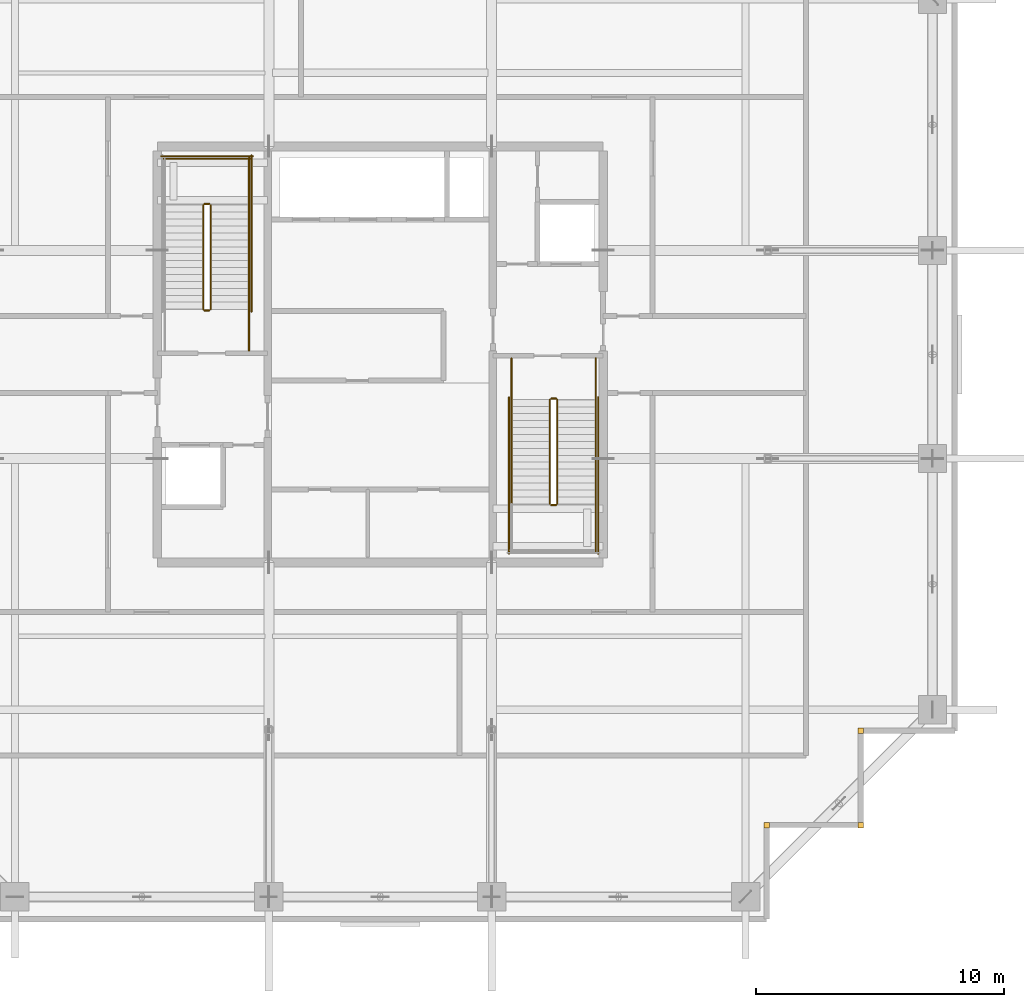
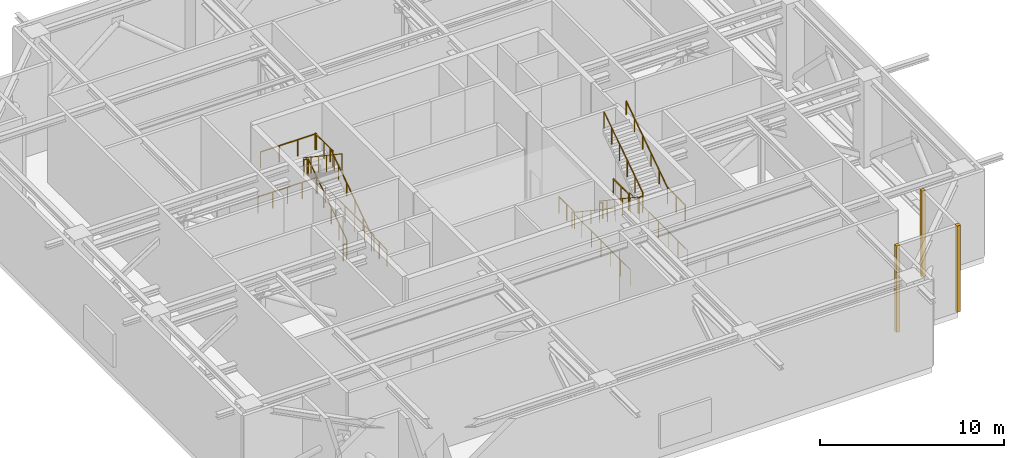
# One storey, part 21 of 22: 21 railings, 3 coverings.
"""IFC4 building model written with IfcOpenShell, lengths in metres."""

from ifc_helpers import new_model, si_unit, direction, frame, origin, origin_2d, place, context, subcontext, project, spatial, rectangle, circle, extrude, source, transform, mapped, material, layer, layer_set, type_object, element, save


model = new_model("IFC4")

# Units and contexts
model_context = context("Model", 3, precision=1e-05, world=origin(), true_north=direction((0.0, 1.0)))
body_context = subcontext(model_context, "Body", "Model", "MODEL_VIEW")
ifc_project = project(units=[si_unit("LENGTHUNIT", "METRE"), si_unit("AREAUNIT", "SQUARE_METRE"), si_unit("VOLUMEUNIT", "CUBIC_METRE"), si_unit("PLANEANGLEUNIT", "RADIAN"), si_unit("MASSUNIT", "GRAM", prefix="KILO")], contexts=[model_context])

# Site, building, storey
site_placement = place(None, origin())
site = spatial("IfcSite", under=ifc_project, at=site_placement, CompositionType="ELEMENT")
building_placement = place(site_placement, origin())
building = spatial("IfcBuilding", under=site, at=building_placement, Name="Serunith Strait Residences", CompositionType="ELEMENT")
storey_placement = place(building_placement, frame((0.0, 0.0, 287.449951171875)))
storey = spatial("IfcBuildingStorey", under=building, at=storey_placement, Name="L72", CompositionType="ELEMENT", Elevation=287.449951171875)

# Railings
ifc_material_1 = material(Name="Brushed stainless steel 316L", Category="steel")
railing_type_1 = type_object("IfcRailingType", Name="RLG-STAIR-GUARD", PredefinedType="BALUSTRADE", material=ifc_material_1)
railing_1_placement = place(storey_placement, frame((25.550048828125, 27.030029296875, 0.1875)))
element("IfcRailing", 1, at=railing_1_placement, inside=storey, type_object=railing_type_1, Name="L72 ST-1 stair guard 1", PredefinedType="BALUSTRADE", context=body_context, shape_type="SweptSolid", body=[
    extrude(circle(Radius=0.02392578125, at=origin_2d()), frame((0.0, 0.001708984375, 1.0771484375), z_axis=(0.0, 0.830904186295, 0.556415522067), x_axis=(-1.0, 0.0, 0.0)), (0.0, 0.0, 1.0), 5.05078125),
    extrude(circle(Radius=0.02099609375, at=origin_2d()), origin(), (0.0, 0.0, 1.0), 1.050048828125),
    extrude(circle(Radius=0.02099609375, at=origin_2d()), frame((0.0, 0.840087890625, 0.5625)), (0.0, 0.0, 1.0), 1.050048828125),
    extrude(circle(Radius=0.02099609375, at=origin_2d()), frame((0.0, 1.679931640625, 1.125)), (0.0, 0.0, 1.0), 1.050048828125),
    extrude(circle(Radius=0.02099609375, at=origin_2d()), frame((0.0, 2.52001953125, 1.6875)), (0.0, 0.0, 1.0), 1.050048828125),
    extrude(circle(Radius=0.02099609375, at=origin_2d()), frame((0.0, 3.35986328125, 2.25)), (0.0, 0.0, 1.0), 1.050048828125),
    extrude(circle(Radius=0.02099609375, at=origin_2d()), frame((0.0, 4.199951171875, 2.8125)), (0.0, 0.0, 1.0), 1.050048828125),
])
railing_2_placement = place(storey_placement, frame((25.5, 31.280029296875, 3.0)))
element("IfcRailing", 2, at=railing_2_placement, inside=storey, type_object=railing_type_1, Name="L72 ST-1 stair guard 2", PredefinedType="BALUSTRADE", context=body_context, shape_type="SweptSolid", body=[
    extrude(circle(Radius=0.02392578125, at=origin_2d()), frame((-0.001953125, 0.0, 1.076171875), z_axis=(-1.0, 0.0, 0.0), x_axis=(0.0, -1.0, 0.0)), (0.0, 0.0, 1.0), 0.196044921875),
    extrude(circle(Radius=0.02099609375, at=origin_2d()), origin(), (0.0, 0.0, 1.0), 1.050048828125),
    extrude(circle(Radius=0.02099609375, at=origin_2d()), frame((-0.199951171875, 0.0, 0.0)), (0.0, 0.0, 1.0), 1.050048828125),
])
railing_3_placement = place(storey_placement, frame((27.10009765625, 31.22998046875, 3.0)))
element("IfcRailing", 3, at=railing_3_placement, inside=storey, type_object=railing_type_1, Name="L72 ST-1 stair guard 3", PredefinedType="BALUSTRADE", context=body_context, shape_type="SweptSolid", body=[
    extrude(circle(Radius=0.02392578125, at=origin_2d()), frame((0.0, 0.001953125, 1.076171875), z_axis=(0.0, 1.0, 0.0), x_axis=(-1.0, 0.0, 0.0)), (0.0, 0.0, 1.0), 1.916015625),
    extrude(circle(Radius=0.02099609375, at=origin_2d()), origin(), (0.0, 0.0, 1.0), 1.050048828125),
    extrude(circle(Radius=0.02099609375, at=origin_2d()), frame((0.0, 0.9599609375, 0.0)), (0.0, 0.0, 1.0), 1.050048828125),
    extrude(circle(Radius=0.02099609375, at=origin_2d()), frame((0.0, 1.919921875, 0.0)), (0.0, 0.0, 1.0), 1.050048828125),
])
railing_4_placement = place(storey_placement, frame((27.14990234375, 33.10009765625, 3.0)))
element("IfcRailing", 4, at=railing_4_placement, inside=storey, type_object=railing_type_1, Name="L72 ST-1 stair guard 5", PredefinedType="BALUSTRADE", context=body_context, shape_type="SweptSolid", body=[
    extrude(circle(Radius=0.02392578125, at=origin_2d()), frame((-0.001953125, 0.0, 1.076171875), z_axis=(-1.0, 0.0, 0.0), x_axis=(0.0, -1.0, 0.0)), (0.0, 0.0, 1.0), 3.49609375),
    extrude(circle(Radius=0.02099609375, at=origin_2d()), origin(), (0.0, 0.0, 1.0), 1.050048828125),
    extrude(circle(Radius=0.02099609375, at=origin_2d()), frame((-1.166748046875, 0.0, 0.0)), (0.0, 0.0, 1.0), 1.050048828125),
    extrude(circle(Radius=0.02099609375, at=origin_2d()), frame((-2.333251953125, 0.0, 0.0)), (0.0, 0.0, 1.0), 1.050048828125),
    extrude(circle(Radius=0.02099609375, at=origin_2d()), frame((-3.5, 0.0, 0.0)), (0.0, 0.0, 1.0), 1.050048828125),
])
railing_5_placement = place(storey_placement, frame((25.25, 31.22998046875, 3.1875)))
element("IfcRailing", 5, at=railing_5_placement, inside=storey, type_object=railing_type_1, Name="L72 ST-1 stair guard 6", PredefinedType="BALUSTRADE", context=body_context, shape_type="SweptSolid", body=[
    extrude(circle(Radius=0.02392578125, at=origin_2d()), frame((0.0, -0.001708984375, 1.0771484375), z_axis=(0.0, -0.830904186295, 0.556415522067), x_axis=(1.0, 0.0, 0.0)), (0.0, 0.0, 1.0), 5.05078125),
    extrude(circle(Radius=0.02099609375, at=origin_2d()), origin(), (0.0, 0.0, 1.0), 1.050048828125),
    extrude(circle(Radius=0.02099609375, at=origin_2d()), frame((0.0, -0.840087890625, 0.5625)), (0.0, 0.0, 1.0), 1.050048828125),
    extrude(circle(Radius=0.02099609375, at=origin_2d()), frame((0.0, -1.679931640625, 1.125)), (0.0, 0.0, 1.0), 1.050048828125),
    extrude(circle(Radius=0.02099609375, at=origin_2d()), frame((0.0, -2.52001953125, 1.6875)), (0.0, 0.0, 1.0), 1.050048828125),
    extrude(circle(Radius=0.02099609375, at=origin_2d()), frame((0.0, -3.35986328125, 2.25)), (0.0, 0.0, 1.0), 1.050048828125),
    extrude(circle(Radius=0.02099609375, at=origin_2d()), frame((0.0, -4.199951171875, 2.8125)), (0.0, 0.0, 1.0), 1.050048828125),
])
railing_6_placement = place(storey_placement, frame((25.5, 26.97998046875, 0.0)))
element("IfcRailing", 6, at=railing_6_placement, inside=storey, type_object=railing_type_1, Name="L72 ST-1 stair guard 7", PredefinedType="BALUSTRADE", context=body_context, shape_type="SweptSolid", body=[
    extrude(circle(Radius=0.02392578125, at=origin_2d()), frame((-0.001953125, 0.0, 1.076171875), z_axis=(-1.0, 0.0, 0.0), x_axis=(0.0, -1.0, 0.0)), (0.0, 0.0, 1.0), 0.196044921875),
    extrude(circle(Radius=0.02099609375, at=origin_2d()), origin(), (0.0, 0.0, 1.0), 1.050048828125),
    extrude(circle(Radius=0.02099609375, at=origin_2d()), frame((-0.199951171875, 0.0, 0.0)), (0.0, 0.0, 1.0), 1.050048828125),
])
railing_7_placement = place(storey_placement, frame((27.10009765625, 25.35009765625, 0.0)))
element("IfcRailing", 7, at=railing_7_placement, inside=storey, type_object=railing_type_1, Name="L72 ST-1 stair guard 8", PredefinedType="BALUSTRADE", context=body_context, shape_type="SweptSolid", body=[
    extrude(circle(Radius=0.02392578125, at=origin_2d()), frame((0.0, 0.001953125, 1.076171875), z_axis=(0.0, 1.0, 0.0), x_axis=(-1.0, 0.0, 0.0)), (0.0, 0.0, 1.0), 1.676025390625),
    extrude(circle(Radius=0.02099609375, at=origin_2d()), origin(), (0.0, 0.0, 1.0), 1.050048828125),
    extrude(circle(Radius=0.02099609375, at=origin_2d()), frame((0.0, 0.83984375, 0.0)), (0.0, 0.0, 1.0), 1.050048828125),
    extrude(circle(Radius=0.02099609375, at=origin_2d()), frame((0.0, 1.679931640625, 0.0)), (0.0, 0.0, 1.0), 1.050048828125),
])
railing_8_placement = place(storey_placement, frame((27.199951171875, 26.929931640625, 0.0)))
element("IfcRailing", 8, at=railing_8_placement, inside=storey, type_object=railing_type_1, Name="L72 ST-1 stair guard 10", PredefinedType="BALUSTRADE", context=body_context, shape_type="SweptSolid", body=[
    extrude(circle(Radius=0.02392578125, at=origin_2d()), frame((0.0, 0.001953125, 1.076171875), z_axis=(0.0, 1.0, 0.0), x_axis=(-1.0, 0.0, 0.0)), (0.0, 0.0, 1.0), 6.316162109375),
    extrude(circle(Radius=0.02099609375, at=origin_2d()), origin(), (0.0, 0.0, 1.0), 1.050048828125),
    extrude(circle(Radius=0.02099609375, at=origin_2d()), frame((0.0, 1.05322265625, 0.0)), (0.0, 0.0, 1.0), 1.050048828125),
    extrude(circle(Radius=0.02099609375, at=origin_2d()), frame((0.0, 2.106689453125, 0.0)), (0.0, 0.0, 1.0), 1.050048828125),
    extrude(circle(Radius=0.02099609375, at=origin_2d()), frame((0.0, 3.16015625, 0.0)), (0.0, 0.0, 1.0), 1.050048828125),
    extrude(circle(Radius=0.02099609375, at=origin_2d()), frame((0.0, 4.21337890625, 0.0)), (0.0, 0.0, 1.0), 1.050048828125),
    extrude(circle(Radius=0.02099609375, at=origin_2d()), frame((0.0, 5.2666015625, 0.0)), (0.0, 0.0, 1.0), 1.050048828125),
    extrude(circle(Radius=0.02099609375, at=origin_2d()), frame((0.0, 6.320068359375, 0.0)), (0.0, 0.0, 1.0), 1.050048828125),
])
railing_9_placement = place(storey_placement, frame((27.25, 33.199951171875, 0.0)))
element("IfcRailing", 9, at=railing_9_placement, inside=storey, type_object=railing_type_1, Name="L72 ST-1 stair guard 12", PredefinedType="BALUSTRADE", context=body_context, shape_type="SweptSolid", body=[
    extrude(circle(Radius=0.02392578125, at=origin_2d()), frame((-0.001953125, 0.0, 1.076171875), z_axis=(-1.0, 0.0, 0.0), x_axis=(0.0, -1.0, 0.0)), (0.0, 0.0, 1.0), 3.696044921875),
    extrude(circle(Radius=0.02099609375, at=origin_2d()), origin(), (0.0, 0.0, 1.0), 1.050048828125),
    extrude(circle(Radius=0.02099609375, at=origin_2d()), frame((-0.925048828125, 0.0, 0.0)), (0.0, 0.0, 1.0), 1.050048828125),
    extrude(circle(Radius=0.02099609375, at=origin_2d()), frame((-1.85009765625, 0.0, 0.0)), (0.0, 0.0, 1.0), 1.050048828125),
    extrude(circle(Radius=0.02099609375, at=origin_2d()), frame((-2.77490234375, 0.0, 0.0)), (0.0, 0.0, 1.0), 1.050048828125),
    extrude(circle(Radius=0.02099609375, at=origin_2d()), frame((-3.699951171875, 0.0, 0.0)), (0.0, 0.0, 1.0), 1.050048828125),
])
railing_10_placement = place(storey_placement, frame((39.25, 23.3701171875, 0.1875)))
element("IfcRailing", 10, at=railing_10_placement, inside=storey, type_object=railing_type_1, Name="L72 ST-2 stair guard 1", PredefinedType="BALUSTRADE", context=body_context, shape_type="SweptSolid", body=[
    extrude(circle(Radius=0.02392578125, at=origin_2d()), frame((0.0, -0.001708984375, 1.0771484375), z_axis=(0.0, -0.830919138977, 0.55639319234), x_axis=(1.0, 0.0, 0.0)), (0.0, 0.0, 1.0), 5.05078125),
    extrude(circle(Radius=0.02099609375, at=origin_2d()), origin(), (0.0, 0.0, 1.0), 1.050048828125),
    extrude(circle(Radius=0.02099609375, at=origin_2d()), frame((0.0, -0.840087890625, 0.5625)), (0.0, 0.0, 1.0), 1.050048828125),
    extrude(circle(Radius=0.02099609375, at=origin_2d()), frame((0.0, -1.68017578125, 1.125)), (0.0, 0.0, 1.0), 1.050048828125),
    extrude(circle(Radius=0.02099609375, at=origin_2d()), frame((0.0, -2.52001953125, 1.6875)), (0.0, 0.0, 1.0), 1.050048828125),
    extrude(circle(Radius=0.02099609375, at=origin_2d()), frame((0.0, -3.360107421875, 2.25)), (0.0, 0.0, 1.0), 1.050048828125),
    extrude(circle(Radius=0.02099609375, at=origin_2d()), frame((0.0, -4.2001953125, 2.8125)), (0.0, 0.0, 1.0), 1.050048828125),
])
railing_11_placement = place(storey_placement, frame((39.300048828125, 19.1201171875, 3.0)))
element("IfcRailing", 11, at=railing_11_placement, inside=storey, type_object=railing_type_1, Name="L72 ST-2 stair guard 2", PredefinedType="BALUSTRADE", context=body_context, shape_type="SweptSolid", body=[
    extrude(circle(Radius=0.02392578125, at=origin_2d()), frame((0.001953125, 0.0, 1.076171875), z_axis=(1.0, 0.0, 0.0), x_axis=(0.0, 1.0, 0.0)), (0.0, 0.0, 1.0), 0.196044921875),
    extrude(circle(Radius=0.02099609375, at=origin_2d()), origin(), (0.0, 0.0, 1.0), 1.050048828125),
    extrude(circle(Radius=0.02099609375, at=origin_2d()), frame((0.199951171875, 0.0, 0.0)), (0.0, 0.0, 1.0), 1.050048828125),
])
railing_12_placement = place(storey_placement, frame((41.10009765625, 19.169921875, 3.0)))
element("IfcRailing", 12, at=railing_12_placement, inside=storey, type_object=railing_type_1, Name="L72 ST-2 stair guard 4", PredefinedType="BALUSTRADE", context=body_context, shape_type="SweptSolid", body=[
    extrude(circle(Radius=0.02392578125, at=origin_2d()), frame((0.0, -0.001953125, 1.076171875), z_axis=(0.0, -1.0, 0.0), x_axis=(1.0, 0.0, 0.0)), (0.0, 0.0, 1.0), 1.916015625),
    extrude(circle(Radius=0.02099609375, at=origin_2d()), origin(), (0.0, 0.0, 1.0), 1.050048828125),
    extrude(circle(Radius=0.02099609375, at=origin_2d()), frame((0.0, -0.9599609375, 0.0)), (0.0, 0.0, 1.0), 1.050048828125),
    extrude(circle(Radius=0.02099609375, at=origin_2d()), frame((0.0, -1.919921875, 0.0)), (0.0, 0.0, 1.0), 1.050048828125),
])
railing_13_placement = place(storey_placement, frame((39.550048828125, 19.169921875, 3.1875)))
element("IfcRailing", 13, at=railing_13_placement, inside=storey, type_object=railing_type_1, Name="L72 ST-2 stair guard 6", PredefinedType="BALUSTRADE", context=body_context, shape_type="SweptSolid", body=[
    extrude(circle(Radius=0.02392578125, at=origin_2d()), frame((0.0, 0.001708984375, 1.0771484375), z_axis=(0.0, 0.830919138977, 0.55639319234), x_axis=(-1.0, 0.0, 0.0)), (0.0, 0.0, 1.0), 5.05078125),
    extrude(circle(Radius=0.02099609375, at=origin_2d()), origin(), (0.0, 0.0, 1.0), 1.050048828125),
    extrude(circle(Radius=0.02099609375, at=origin_2d()), frame((0.0, 0.840087890625, 0.5625)), (0.0, 0.0, 1.0), 1.050048828125),
    extrude(circle(Radius=0.02099609375, at=origin_2d()), frame((0.0, 1.68017578125, 1.125)), (0.0, 0.0, 1.0), 1.050048828125),
    extrude(circle(Radius=0.02099609375, at=origin_2d()), frame((0.0, 2.52001953125, 1.6875)), (0.0, 0.0, 1.0), 1.050048828125),
    extrude(circle(Radius=0.02099609375, at=origin_2d()), frame((0.0, 3.360107421875, 2.25)), (0.0, 0.0, 1.0), 1.050048828125),
    extrude(circle(Radius=0.02099609375, at=origin_2d()), frame((0.0, 4.2001953125, 2.8125)), (0.0, 0.0, 1.0), 1.050048828125),
])
railing_14_placement = place(storey_placement, frame((39.300048828125, 23.419921875, 0.0)))
element("IfcRailing", 14, at=railing_14_placement, inside=storey, type_object=railing_type_1, Name="L72 ST-2 stair guard 7", PredefinedType="BALUSTRADE", context=body_context, shape_type="SweptSolid", body=[
    extrude(circle(Radius=0.02392578125, at=origin_2d()), frame((0.001953125, 0.0, 1.076171875), z_axis=(1.0, 0.0, 0.0), x_axis=(0.0, 1.0, 0.0)), (0.0, 0.0, 1.0), 0.196044921875),
    extrude(circle(Radius=0.02099609375, at=origin_2d()), origin(), (0.0, 0.0, 1.0), 1.050048828125),
    extrude(circle(Radius=0.02099609375, at=origin_2d()), frame((0.199951171875, 0.0, 0.0)), (0.0, 0.0, 1.0), 1.050048828125),
])
for number, where, name in (
    (15, (37.699951171875, 25.050048828125, 0.0), "L72 ST-2 stair guard 8"),
    (16, (41.10009765625, 25.050048828125, 0.0), "L72 ST-2 stair guard 9"),
):
    element("IfcRailing", number, at=place(storey_placement, frame(where)), inside=storey, type_object=railing_type_1, Name=name, PredefinedType="BALUSTRADE", context=body_context, shape_type="SweptSolid", body=[
        extrude(circle(Radius=0.02392578125, at=origin_2d()), frame((0.0, -0.001953125, 1.076171875), z_axis=(0.0, -1.0, 0.0), x_axis=(1.0, 0.0, 0.0)), (0.0, 0.0, 1.0), 1.676025390625),
        extrude(circle(Radius=0.02099609375, at=origin_2d()), origin(), (0.0, 0.0, 1.0), 1.050048828125),
        extrude(circle(Radius=0.02099609375, at=origin_2d()), frame((0.0, -0.83984375, 0.0)), (0.0, 0.0, 1.0), 1.050048828125),
        extrude(circle(Radius=0.02099609375, at=origin_2d()), frame((0.0, -1.679931640625, 0.0)), (0.0, 0.0, 1.0), 1.050048828125),
    ])
for number, where, name in (
    (17, (37.60009765625, 23.469970703125, 0.0), "L72 ST-2 stair guard 10"),
    (18, (41.199951171875, 23.469970703125, 0.0), "L72 ST-2 stair guard 11"),
):
    element("IfcRailing", number, at=place(storey_placement, frame(where)), inside=storey, type_object=railing_type_1, Name=name, PredefinedType="BALUSTRADE", context=body_context, shape_type="SweptSolid", body=[
        extrude(circle(Radius=0.02392578125, at=origin_2d()), frame((0.0, -0.001953125, 1.076171875), z_axis=(0.0, -1.0, 0.0), x_axis=(1.0, 0.0, 0.0)), (0.0, 0.0, 1.0), 6.316162109375),
        extrude(circle(Radius=0.02099609375, at=origin_2d()), origin(), (0.0, 0.0, 1.0), 1.050048828125),
        extrude(circle(Radius=0.02099609375, at=origin_2d()), frame((0.0, -1.05322265625, 0.0)), (0.0, 0.0, 1.0), 1.050048828125),
        extrude(circle(Radius=0.02099609375, at=origin_2d()), frame((0.0, -2.106689453125, 0.0)), (0.0, 0.0, 1.0), 1.050048828125),
        extrude(circle(Radius=0.02099609375, at=origin_2d()), frame((0.0, -3.16015625, 0.0)), (0.0, 0.0, 1.0), 1.050048828125),
        extrude(circle(Radius=0.02099609375, at=origin_2d()), frame((0.0, -4.21337890625, 0.0)), (0.0, 0.0, 1.0), 1.050048828125),
        extrude(circle(Radius=0.02099609375, at=origin_2d()), frame((0.0, -5.2666015625, 0.0)), (0.0, 0.0, 1.0), 1.050048828125),
        extrude(circle(Radius=0.02099609375, at=origin_2d()), frame((0.0, -6.320068359375, 0.0)), (0.0, 0.0, 1.0), 1.050048828125),
    ])
railing_type_2 = type_object("IfcRailingType", Name="RLG-STAIR-HR", PredefinedType="HANDRAIL", material=ifc_material_1)
railing_15_placement = place(storey_placement, frame((27.10009765625, 27.030029296875, 0.1875)))
element("IfcRailing", 19, at=railing_15_placement, inside=storey, type_object=railing_type_2, Name="L72 ST-1 stair handrail 1", PredefinedType="HANDRAIL", context=body_context, shape_type="SweptSolid", body=[
    extrude(circle(Radius=0.02392578125, at=origin_2d()), frame((0.0, 0.001708984375, 0.876953125), z_axis=(0.0, 0.830466402242, 0.55706871636), x_axis=(-1.0, 0.0, 0.0)), (0.0, 0.0, 1.0), 5.390625),
    extrude(circle(Radius=0.02099609375, at=origin_2d()), origin(), (0.0, 0.0, 1.0), 0.849853515625),
    extrude(circle(Radius=0.02099609375, at=origin_2d()), frame((0.0, 0.89599609375, 0.60107421875)), (0.0, 0.0, 1.0), 0.849853515625),
    extrude(circle(Radius=0.02099609375, at=origin_2d()), frame((0.0, 1.7919921875, 1.2021484375)), (0.0, 0.0, 1.0), 0.849853515625),
    extrude(circle(Radius=0.02099609375, at=origin_2d()), frame((0.0, 2.68798828125, 1.802978515625)), (0.0, 0.0, 1.0), 0.849853515625),
    extrude(circle(Radius=0.02099609375, at=origin_2d()), frame((0.0, 3.583984375, 2.404052734375)), (0.0, 0.0, 1.0), 0.849853515625),
    extrude(circle(Radius=0.02099609375, at=origin_2d()), frame((0.0, 4.47998046875, 3.005126953125)), (0.0, 0.0, 1.0), 0.849853515625),
])
railing_16_placement = place(storey_placement, frame((37.699951171875, 23.3701171875, 0.1875)))
element("IfcRailing", 20, at=railing_16_placement, inside=storey, type_object=railing_type_2, Name="L72 ST-2 stair handrail 1", PredefinedType="HANDRAIL", context=body_context, shape_type="SweptSolid", body=[
    extrude(circle(Radius=0.02392578125, at=origin_2d()), frame((0.0, -0.001708984375, 0.876953125), z_axis=(0.0, -0.830480445862, 0.557047779855), x_axis=(1.0, 0.0, 0.0)), (0.0, 0.0, 1.0), 5.390625),
    extrude(circle(Radius=0.02099609375, at=origin_2d()), origin(), (0.0, 0.0, 1.0), 0.849853515625),
    extrude(circle(Radius=0.02099609375, at=origin_2d()), frame((0.0, -0.89599609375, 0.60107421875)), (0.0, 0.0, 1.0), 0.849853515625),
    extrude(circle(Radius=0.02099609375, at=origin_2d()), frame((0.0, -1.7919921875, 1.2021484375)), (0.0, 0.0, 1.0), 0.849853515625),
    extrude(circle(Radius=0.02099609375, at=origin_2d()), frame((0.0, -2.688232421875, 1.802978515625)), (0.0, 0.0, 1.0), 0.849853515625),
    extrude(circle(Radius=0.02099609375, at=origin_2d()), frame((0.0, -3.584228515625, 2.404052734375)), (0.0, 0.0, 1.0), 0.849853515625),
    extrude(circle(Radius=0.02099609375, at=origin_2d()), frame((0.0, -4.480224609375, 3.005126953125)), (0.0, 0.0, 1.0), 0.849853515625),
])
railing_17_placement = place(storey_placement, frame((41.10009765625, 19.169921875, 3.1875)))
element("IfcRailing", 21, at=railing_17_placement, inside=storey, type_object=railing_type_2, Name="L72 ST-2 stair handrail 2", PredefinedType="HANDRAIL", context=body_context, shape_type="SweptSolid", body=[
    extrude(circle(Radius=0.02392578125, at=origin_2d()), frame((0.0, 0.001708984375, 0.876953125), z_axis=(0.0, 0.830466402242, 0.55706871636), x_axis=(-1.0, 0.0, 0.0)), (0.0, 0.0, 1.0), 5.390625),
    extrude(circle(Radius=0.02099609375, at=origin_2d()), origin(), (0.0, 0.0, 1.0), 0.849853515625),
    extrude(circle(Radius=0.02099609375, at=origin_2d()), frame((0.0, 0.89599609375, 0.60107421875)), (0.0, 0.0, 1.0), 0.849853515625),
    extrude(circle(Radius=0.02099609375, at=origin_2d()), frame((0.0, 1.7919921875, 1.2021484375)), (0.0, 0.0, 1.0), 0.849853515625),
    extrude(circle(Radius=0.02099609375, at=origin_2d()), frame((0.0, 2.68798828125, 1.802978515625)), (0.0, 0.0, 1.0), 0.849853515625),
    extrude(circle(Radius=0.02099609375, at=origin_2d()), frame((0.0, 3.583984375, 2.404052734375)), (0.0, 0.0, 1.0), 0.849853515625),
    extrude(circle(Radius=0.02099609375, at=origin_2d()), frame((0.0, 4.47998046875, 3.005126953125)), (0.0, 0.0, 1.0), 0.849853515625),
])

# Coverings
ifc_material_2 = material(Name="Pale-Champagne Anodised Aluminium", Category="aluminium")
ifc_layer = layer(ifc_material_2, 0.219970703125, Name="Pale-Champagne Anodised Aluminium")
ifc_layer_set = layer_set([ifc_layer], Name="Pale-Champagne Anodised Aluminium")
covering_type = type_object("IfcCoveringType", Name="COV-CORN-TRIM", PredefinedType="CLADDING", material=ifc_layer_set)
shared_shape = source(origin(), body_context, "Body", "SweptSolid", [
    extrude(rectangle(XDim=0.221923828125, YDim=0.221923828125, at=origin_2d()), origin(), (0.0, 0.0, 1.0), 5.72509765625),
])
for number, where, z_axis, x_axis, name in (
    (22, (48.0, 6.199951171875, 0.0), (0.0, 0.0, 1.0), (1.0, 0.0, 0.0), "L72 Girih Serrated Corner Trim Post 02"),
    (23, (51.800048828125, 6.199951171875, 0.0), (0.0, 0.0, 1.0), (1.0, 0.0, 0.0), "L72 Girih Serrated Corner Trim Post 03"),
    (24, (51.800048828125, 10.0, 0.0), (0.0, 0.0, 1.0), (1.0, 0.0, 0.0), "L72 Girih Serrated Corner Trim Post 04"),
):
    element("IfcCovering", number, at=place(storey_placement, frame(where, z_axis=z_axis, x_axis=x_axis)), inside=storey, type_object=covering_type, Name=name, PredefinedType="CLADDING", context=body_context, shape_type="MappedRepresentation", body=[
        mapped(shared_shape, transform((0.0, 0.0, 0.0), scale=1.0)),
    ])

save(model, "model.ifc")
